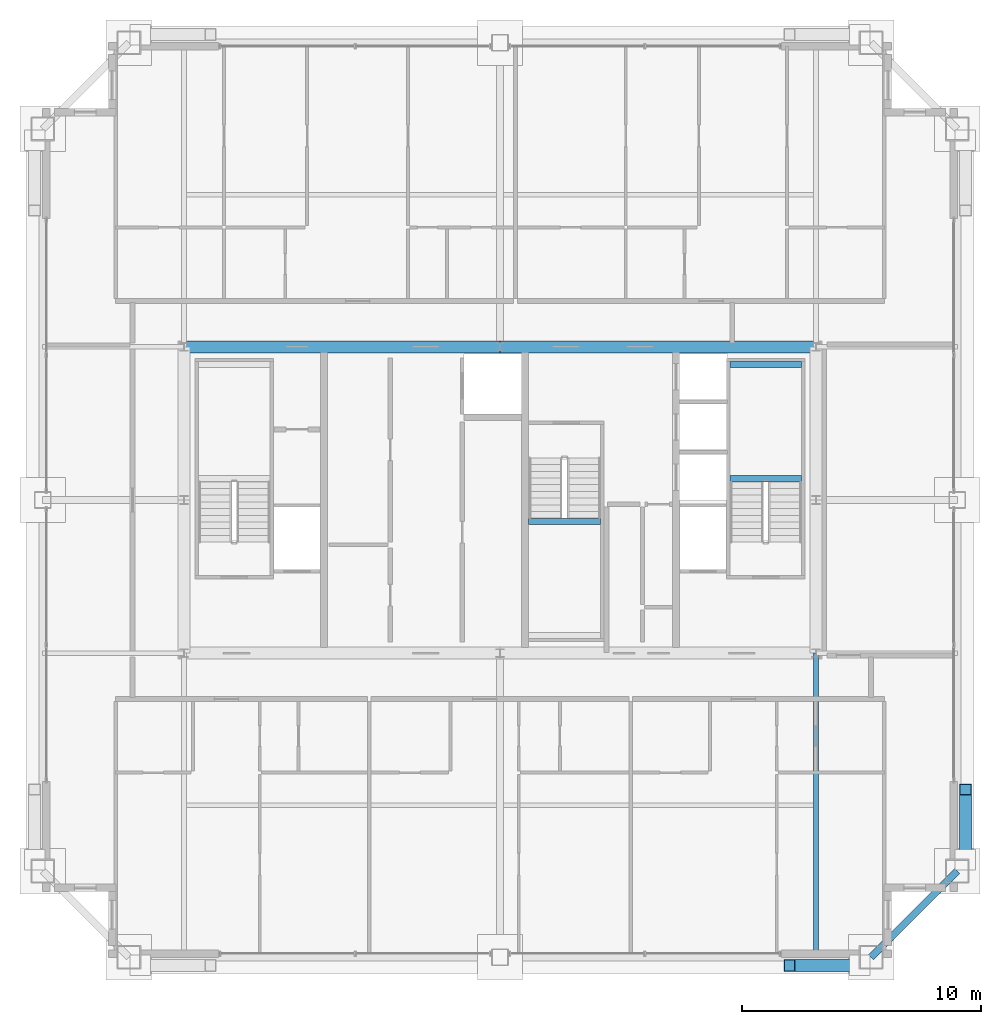
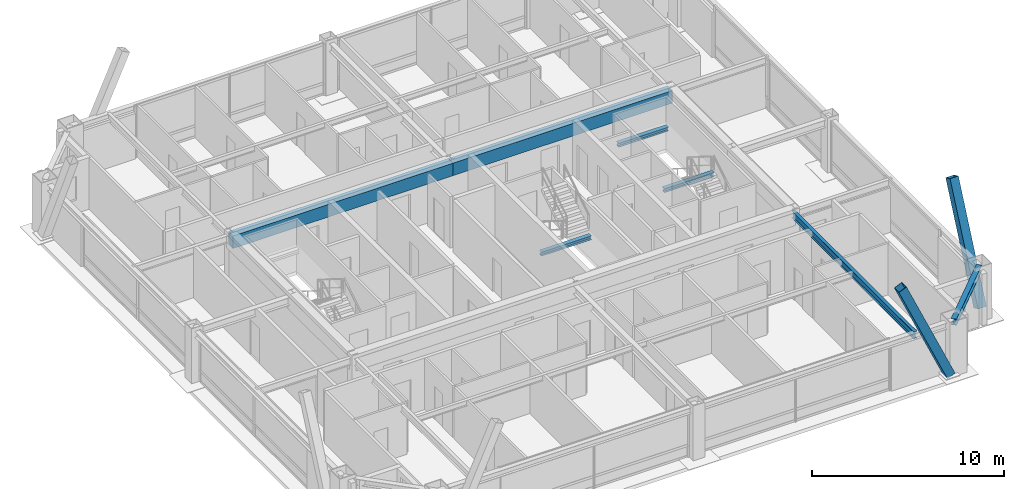
# One storey, part 13 of 35: 7 beams, 2 members.
"""IFC4 building model written with IfcOpenShell, lengths in metres."""

from ifc_helpers import new_model, si_unit, direction, frame, origin, origin_2d, place, context, subcontext, project, spatial, rectangle, hollow_rectangle, i_section, extrude, source, transform, mapped, material, material_profile, profile_set, type_object, element, save


model = new_model("IFC4")

# Units and contexts
model_context = context("Model", 3, precision=1e-05, world=origin(), true_north=direction((0.0, 1.0)))
body_context = subcontext(model_context, "Body", "Model", "MODEL_VIEW")
ifc_project = project(units=[si_unit("LENGTHUNIT", "METRE"), si_unit("AREAUNIT", "SQUARE_METRE"), si_unit("VOLUMEUNIT", "CUBIC_METRE"), si_unit("PLANEANGLEUNIT", "RADIAN"), si_unit("MASSUNIT", "GRAM", prefix="KILO"), si_unit("THERMODYNAMICTEMPERATUREUNIT", "KELVIN"), si_unit("POWERUNIT", "WATT")], contexts=[model_context])

# Site, building, storey
site_placement = place(None, origin())
site = spatial("IfcSite", under=ifc_project, at=site_placement, CompositionType="ELEMENT")
building_placement = place(site_placement, origin())
building = spatial("IfcBuilding", under=site, at=building_placement, Name="Yuzanri Waterfront Tower", CompositionType="ELEMENT")
storey_placement = place(building_placement, frame((0.0, 0.0, 285.60009765625)))
storey = spatial("IfcBuildingStorey", under=building, at=storey_placement, Name="L76", CompositionType="ELEMENT", Elevation=285.60009765625)

# Beams
ifc_material_1 = material(Name="Concrete C50", Category="concrete")
ifc_material_profile_1 = material_profile(ifc_material_1, rectangle(XDim=0.5, YDim=0.800048828125, at=origin_2d()), Name="RC 500x800")
ifc_profile_set_1 = profile_set([ifc_material_profile_1], Name="Concrete C50")
beam_type_1 = type_object("IfcBeamType", Name="Core Coupling Lintel Concrete C50 500x800", PredefinedType="LINTEL", material=ifc_profile_set_1)
shared_shape_1 = source(origin(), body_context, "Body", "SweptSolid", [
    extrude(rectangle(XDim=0.5, YDim=0.800048828125, at=origin_2d()), origin(), (0.0, 0.0, 1.0), 13.199951171875),
])
for number, where, z_axis, x_axis, name in (
    (1, (23.800048828125, 32.199951171875, 2.8798828125), (1.0, 0.0, 0.0), (0.0, 1.0, 0.0), "L76 Core Tie Beam CN1"),
    (2, (37.0, 32.199951171875, 2.8798828125), (1.0, 0.0, 0.0), (0.0, 1.0, 0.0), "L76 Core Tie Beam CN2"),
):
    element("IfcBeam", number, at=place(storey_placement, frame(where, z_axis=z_axis, x_axis=x_axis)), inside=storey, type_object=beam_type_1, Name=name, PredefinedType="LINTEL", context=body_context, shape_type="MappedRepresentation", body=[
        mapped(shared_shape_1, transform((0.0, 0.0, 0.0), scale=1.0)),
    ])
ifc_material_2 = material(Name="Steel Q355B", Category="steel")
ifc_material_profile_2 = material_profile(ifc_material_2, i_section(OverallWidth=0.300048828125, OverallDepth=0.389892578125, WebThickness=0.010009765625, FlangeThickness=0.01611328125, at=origin_2d()), Name="HM 390x300x10x16")
ifc_profile_set_2 = profile_set([ifc_material_profile_2], Name="Steel Q355B")
beam_type_2 = type_object("IfcBeamType", Name="Perimeter Spandrel Q355B HM 390x300", PredefinedType="SPANDREL", material=ifc_profile_set_2)
shared_shape_2 = source(origin(), body_context, "Body", "SweptSolid", [
    extrude(i_section(OverallWidth=0.300048828125, OverallDepth=0.389892578125, WebThickness=0.010009765625, FlangeThickness=0.01611328125, at=origin_2d()), origin(), (0.0, 0.0, 1.0), 5.09130859375),
])
beam_1_placement = place(storey_placement, frame((52.5, 6.699951171875, 3.0849609375), z_axis=(0.707106781187, 0.707106781187, 0.0), x_axis=(-0.707106781187, 0.707106781187, 0.0)))
element("IfcBeam", 3, at=beam_1_placement, inside=storey, type_object=beam_type_2, Name="L76 Perimeter Spandrel S3-E1", PredefinedType="SPANDREL", context=body_context, shape_type="MappedRepresentation", body=[
    mapped(shared_shape_2, transform((0.0, 0.0, 0.0), scale=1.0)),
])
ifc_material_3 = material(Name="Steel Q355B", Category="steel")
ifc_material_profile_3 = material_profile(ifc_material_3, i_section(OverallWidth=0.199951171875, OverallDepth=0.449951171875, WebThickness=0.009033203125, FlangeThickness=0.013916015625, at=origin_2d()), Name="HN 450x200x9x14")
ifc_profile_set_3 = profile_set([ifc_material_profile_3], Name="Steel Q355B")
beam_type_3 = type_object("IfcBeamType", Name="Secondary Floor Beam Q355B HN 450x200", PredefinedType="BEAM", material=ifc_profile_set_3)
shared_shape_3 = source(origin(), body_context, "Body", "SweptSolid", [
    extrude(i_section(OverallWidth=0.199951171875, OverallDepth=0.449951171875, WebThickness=0.009033203125, FlangeThickness=0.013916015625, at=origin_2d()), origin(), (0.0, 0.0, 1.0), 12.699951171875),
])
beam_2_placement = place(storey_placement, frame((50.199951171875, 19.39990234375, 3.054931640625), z_axis=(0.0, -1.0, 0.0), x_axis=(1.0, 0.0, 0.0)))
element("IfcBeam", 4, at=beam_2_placement, inside=storey, type_object=beam_type_3, Name="L76 South-East Core Line Beam", PredefinedType="BEAM", context=body_context, shape_type="MappedRepresentation", body=[
    mapped(shared_shape_3, transform((0.0, 0.0, 0.0), scale=1.0)),
])

# Members
ifc_material_4 = material(Name="Steel Q390GJC", Category="steel")
ifc_material_profile_4 = material_profile(ifc_material_4, hollow_rectangle(XDim=0.5, YDim=0.5, WallThickness=0.02197265625, at=origin_2d()), Name="RHS 500x500x22")
ifc_profile_set_4 = profile_set([ifc_material_profile_4], Name="Steel Q390GJC")
member_type = type_object("IfcMemberType", Name="Mega Brace Upper Q390GJC RHS 500x500x22", PredefinedType="BRACE", material=ifc_profile_set_4)
shared_shape_4 = source(origin(), body_context, "Body", "SweptSolid", [
    extrude(hollow_rectangle(XDim=0.5, YDim=0.5, WallThickness=0.02197265625, at=origin_2d()), origin(), (0.0, 0.0, 1.0), 7.125732421875),
])
for number, where, z_axis, x_axis, name in (
    (5, (52.02001953125, 6.360107421875, 0.179931640625), (-0.409771952938, 0.0, 0.912187999584), (0.0, -1.0, 0.0), "L76-L77 Perimeter Mega-Brace S-R"),
    (6, (56.43994140625, 10.780029296875, 0.179931640625), (0.0, 0.409771952938, 0.912187999584), (-1.0, 0.0, 0.0), "L76-L77 Perimeter Mega-Brace E-L"),
):
    element("IfcMember", number, at=place(storey_placement, frame(where, z_axis=z_axis, x_axis=x_axis)), inside=storey, type_object=member_type, Name=name, PredefinedType="BRACE", context=body_context, shape_type="MappedRepresentation", body=[
        mapped(shared_shape_4, transform((0.0, 0.0, 0.0), scale=1.0)),
    ])

# Beams
ifc_material_5 = material(Name="Steel Q355B", Category="steel")
ifc_material_profile_5 = material_profile(ifc_material_5, i_section(OverallWidth=0.25, OverallDepth=0.25, WebThickness=0.009033203125, FlangeThickness=0.013916015625, at=origin_2d()), Name="HW 250x250x9x14")
ifc_profile_set_5 = profile_set([ifc_material_profile_5], Name="Steel Q355B")
beam_type_4 = type_object("IfcBeamType", Name="Stair Landing Support Beam Q355B HW 250x250", PredefinedType="BEAM", material=ifc_profile_set_5)
shared_shape_5 = source(origin(), body_context, "Body", "SweptSolid", [
    extrude(i_section(OverallWidth=0.25, OverallDepth=0.25, WebThickness=0.009033203125, FlangeThickness=0.013916015625, at=origin_2d()), origin(), (0.0, 0.0, 1.0), 3.0),
])
for number, where, z_axis, x_axis, name in (
    (7, (46.60009765625, 26.68994140625, 1.4248046875), (1.0, 0.0, 0.0), (0.0, 1.0, 0.0), "L76 Stair Landing Support Beam ST-02-L76-L1-1"),
    (8, (46.60009765625, 31.449951171875, 1.4248046875), (1.0, 0.0, 0.0), (0.0, 1.0, 0.0), "L76 Stair Landing Support Beam ST-02-L76-L1-2"),
    (9, (38.199951171875, 24.909912109375, 1.4248046875), (1.0, 0.0, 0.0), (0.0, 1.0, 0.0), "L76 Stair Landing Support Beam ST-03-L76-L1-2"),
):
    element("IfcBeam", number, at=place(storey_placement, frame(where, z_axis=z_axis, x_axis=x_axis)), inside=storey, type_object=beam_type_4, Name=name, PredefinedType="BEAM", context=body_context, shape_type="MappedRepresentation", body=[
        mapped(shared_shape_5, transform((0.0, 0.0, 0.0), scale=1.0)),
    ])

save(model, "model.ifc")
